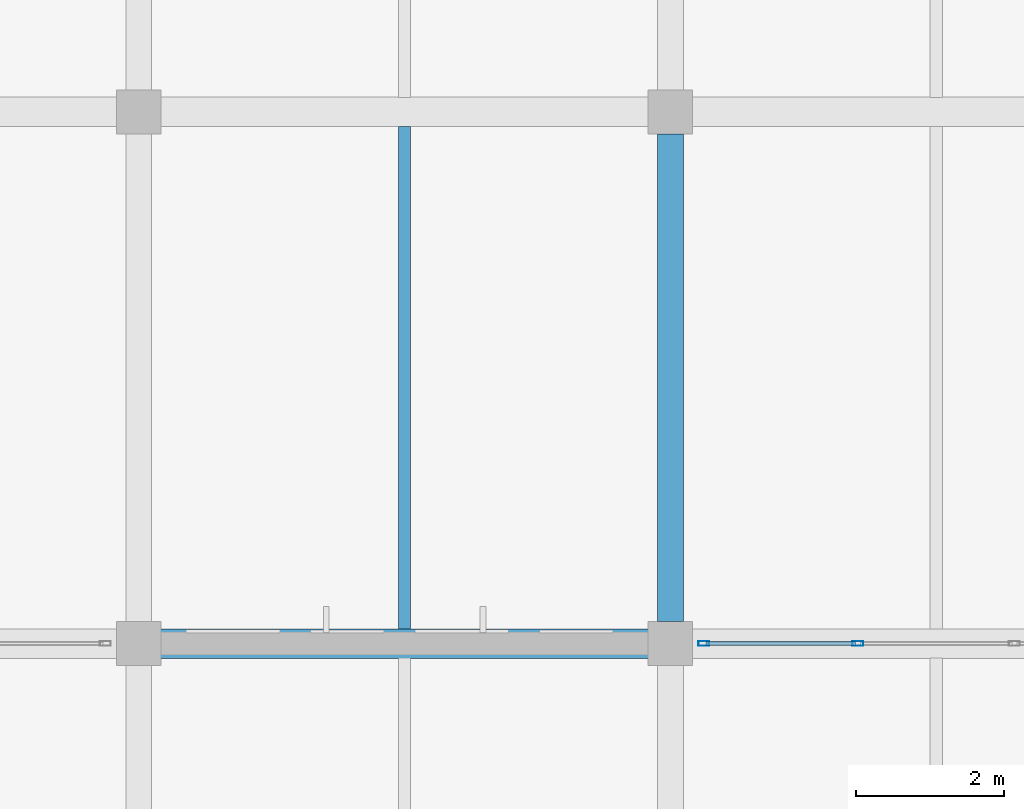
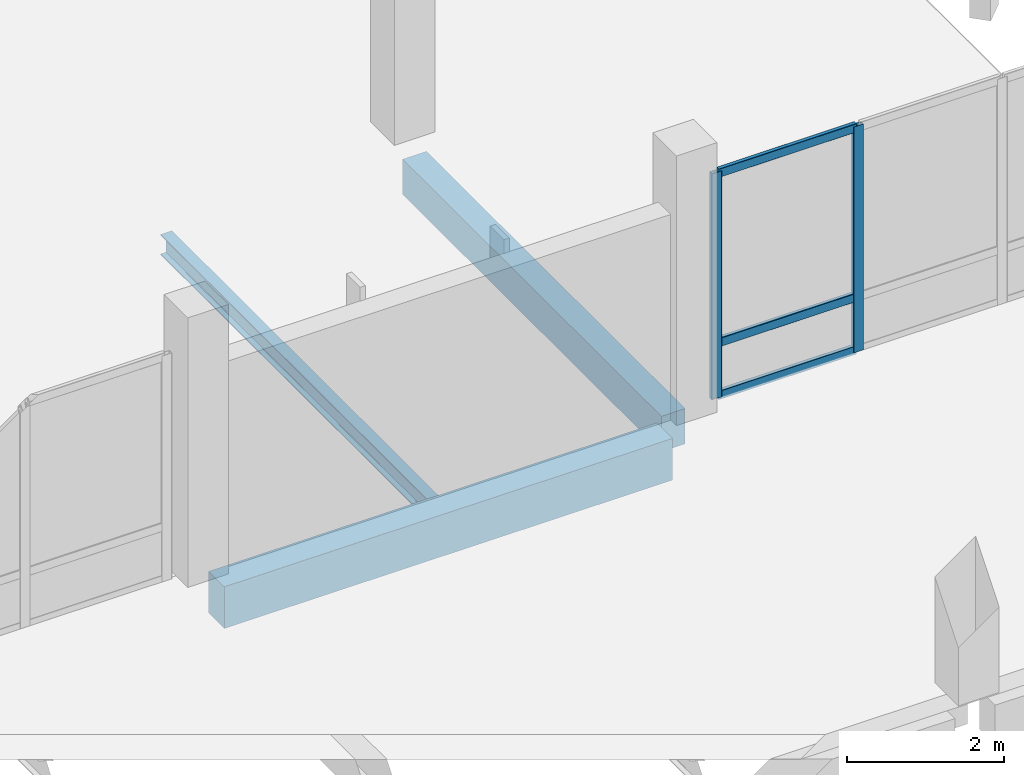
# One storey, part 105 of 158: 5 members, 3 beams, 1 element without a shape of its own.
"""IFC4 building model written with IfcOpenShell, lengths in metres."""

from ifc_helpers import new_model, si_unit, direction, frame, origin, origin_2d, place, context, subcontext, project, spatial, rectangle, hollow_rectangle, i_section, extrude, material, material_profile, profile_set, type_object, element, aggregate, save


model = new_model("IFC4")

# Units and contexts
model_context = context("Model", 3, precision=1e-05, world=origin(), true_north=direction((0.0, 1.0)))
body_context = subcontext(model_context, "Body", "Model", "MODEL_VIEW")
ifc_project = project(units=[si_unit("LENGTHUNIT", "METRE"), si_unit("AREAUNIT", "SQUARE_METRE"), si_unit("VOLUMEUNIT", "CUBIC_METRE"), si_unit("PLANEANGLEUNIT", "RADIAN"), si_unit("MASSUNIT", "GRAM", prefix="KILO")], contexts=[model_context])

# Site, building, storey
site_placement = place(None, origin())
site = spatial("IfcSite", under=ifc_project, at=site_placement, CompositionType="ELEMENT")
building_placement = place(site_placement, origin())
building = spatial("IfcBuilding", under=site, at=building_placement, Name="Lusvemor Sports Hall", CompositionType="ELEMENT")
storey_placement = place(building_placement, frame((0.0, 0.0, 10.800048828125)))
storey = spatial("IfcBuildingStorey", under=building, at=storey_placement, Name="L02", CompositionType="ELEMENT", Elevation=10.800048828125)

# Beams
ifc_material_1 = material(Name="Concrete C40/50", Category="concrete")
ifc_material_profile_1 = material_profile(ifc_material_1, rectangle(XDim=0.35009765625, YDim=0.550048828125, at=origin_2d()), Name="RC350x550")
ifc_profile_set_1 = profile_set([ifc_material_profile_1], Name="Concrete C40/50")
beam_type_1 = type_object("IfcBeamType", Name="BEAM_RC_550", PredefinedType="BEAM", material=ifc_profile_set_1)
beam_1_placement = place(storey_placement, frame((162.0, 83.095947265625, -0.53515625), z_axis=(0.0, 1.0, 0.0), x_axis=(-1.0, 0.0, 0.0)))
element("IfcBeam", 1, at=beam_1_placement, inside=storey, type_object=beam_type_1, Name="Beam L02 19:L-M", PredefinedType="BEAM", context=body_context, shape_type="SweptSolid", body=[
    extrude(rectangle(XDim=0.35009765625, YDim=0.550048828125, at=origin_2d()), origin(), (0.0, 0.0, 1.0), 6.608154296875),
])
ifc_material_2 = material(Name="Concrete C40/50", Category="concrete")
ifc_material_profile_2 = material_profile(ifc_material_2, rectangle(XDim=0.39990234375, YDim=0.64990234375, at=origin_2d()), Name="RC400x650")
ifc_profile_set_2 = profile_set([ifc_material_profile_2], Name="Concrete C40/50")
beam_type_2 = type_object("IfcBeamType", Name="BEAM_RC_650", PredefinedType="BEAM", material=ifc_profile_set_2)
beam_2_placement = place(storey_placement, frame((155.095947265625, 82.800048828125, -0.5849609375), z_axis=(1.0, 0.0, 0.0), x_axis=(0.0, 1.0, 0.0)))
element("IfcBeam", 2, at=beam_2_placement, inside=storey, type_object=beam_type_2, Name="Beam L02 L:18-19", PredefinedType="BEAM", context=body_context, shape_type="SweptSolid", body=[
    extrude(rectangle(XDim=0.39990234375, YDim=0.64990234375, at=origin_2d()), origin(), (0.0, 0.0, 1.0), 6.608154296875),
])

# Curtain wall, members
ifc_material_3 = material(Name="Thermally broken bronze-anodized aluminium", Category="aluminium")
curtain_wall_type = type_object("IfcCurtainWallType", Name="CW_WING_B", PredefinedType="NOTDEFINED", material=ifc_material_3)
curtain_wall_placement = place(storey_placement, origin())
curtain_wall = element("IfcCurtainWall", 3, at=curtain_wall_placement, inside=storey, type_object=curtain_wall_type, Name="Curtain Wall CW-L02-N-4-4", PredefinedType="NOTDEFINED")
ifc_material_4 = material(Name="Thermally broken bronze-anodized aluminium", Category="aluminium")
ifc_material_profile_3 = material_profile(ifc_material_4, hollow_rectangle(XDim=0.06494140625, YDim=0.14990234375, WallThickness=0.00390625, InnerFilletRadius=0.00390625, OuterFilletRadius=0.008056640625, at=origin_2d()), Name="CWMUL150x65x4")
ifc_profile_set_3 = profile_set([ifc_material_profile_3], Name="Thermally broken bronze-anodized aluminium")
member_type_1 = type_object("IfcMemberType", Name="CW_MUL_B", PredefinedType="MULLION", material=ifc_profile_set_3)
member_1_placement = place(storey_placement, frame((162.452392578125, 82.800048828125, 0.0), z_axis=(0.0, 0.0, 1.0), x_axis=(0.0, 1.0, 0.0)))
member_1 = element("IfcMember", 4, at=member_1_placement, type_object=member_type_1, Name="CW02 mullion 1", PredefinedType="MULLION", context=body_context, shape_type="SweptSolid", body=[
    extrude(hollow_rectangle(XDim=0.06494140625, YDim=0.14990234375, WallThickness=0.00390625, InnerFilletRadius=0.00390625, OuterFilletRadius=0.008056640625, at=origin_2d()), origin(), (0.0, 0.0, 1.0), 3.52001953125),
])
member_2_placement = place(storey_placement, frame((164.5400390625, 82.800048828125, 0.0), z_axis=(0.0, 0.0, 1.0), x_axis=(0.0, 1.0, 0.0)))
member_2 = element("IfcMember", 5, at=member_2_placement, type_object=member_type_1, Name="CW02 mullion 2", PredefinedType="MULLION", context=body_context, shape_type="SweptSolid", body=[
    extrude(hollow_rectangle(XDim=0.06494140625, YDim=0.14990234375, WallThickness=0.00390625, InnerFilletRadius=0.00390625, OuterFilletRadius=0.008056640625, at=origin_2d()), origin(), (0.0, 0.0, 1.0), 3.52001953125),
])
ifc_material_5 = material(Name="Thermally broken bronze-anodized aluminium", Category="aluminium")
ifc_material_profile_4 = material_profile(ifc_material_5, hollow_rectangle(XDim=0.06005859375, YDim=0.135009765625, WallThickness=0.00390625, InnerFilletRadius=0.00390625, OuterFilletRadius=0.008056640625, at=origin_2d()), Name="CWTRN135x60x4")
ifc_profile_set_4 = profile_set([ifc_material_profile_4], Name="Thermally broken bronze-anodized aluminium")
member_type_2 = type_object("IfcMemberType", Name="CW_TRN_B", PredefinedType="USERDEFINED", material=ifc_profile_set_4)
member_3_placement = place(storey_placement, frame((162.485107421875, 82.800048828125, 0.030029296875), z_axis=(1.0, 0.0, 0.0), x_axis=(0.0, 1.0, 0.0)))
member_3 = element("IfcMember", 6, at=member_3_placement, type_object=member_type_2, Name="CW02 transom 1.1", ObjectType="TRANSOM", PredefinedType="USERDEFINED", context=body_context, shape_type="SweptSolid", body=[
    extrude(hollow_rectangle(XDim=0.06005859375, YDim=0.135009765625, WallThickness=0.00390625, InnerFilletRadius=0.00390625, OuterFilletRadius=0.008056640625, at=origin_2d()), origin(), (0.0, 0.0, 1.0), 2.0224609375),
])
member_4_placement = place(storey_placement, frame((162.485107421875, 82.800048828125, 0.849853515625), z_axis=(1.0, 0.0, 0.0), x_axis=(0.0, 1.0, 0.0)))
member_4 = element("IfcMember", 7, at=member_4_placement, type_object=member_type_2, Name="CW02 transom 1.2", ObjectType="TRANSOM", PredefinedType="USERDEFINED", context=body_context, shape_type="SweptSolid", body=[
    extrude(hollow_rectangle(XDim=0.06005859375, YDim=0.135009765625, WallThickness=0.00390625, InnerFilletRadius=0.00390625, OuterFilletRadius=0.008056640625, at=origin_2d()), origin(), (0.0, 0.0, 1.0), 2.0224609375),
])
member_5_placement = place(storey_placement, frame((162.485107421875, 82.800048828125, 3.489990234375), z_axis=(1.0, 0.0, 0.0), x_axis=(0.0, 1.0, 0.0)))
member_5 = element("IfcMember", 8, at=member_5_placement, type_object=member_type_2, Name="CW02 transom 1.3", ObjectType="TRANSOM", PredefinedType="USERDEFINED", context=body_context, shape_type="SweptSolid", body=[
    extrude(hollow_rectangle(XDim=0.06005859375, YDim=0.135009765625, WallThickness=0.00390625, InnerFilletRadius=0.00390625, OuterFilletRadius=0.008056640625, at=origin_2d()), origin(), (0.0, 0.0, 1.0), 2.0224609375),
])
aggregate(curtain_wall, [member_1, member_2, member_3, member_4, member_5])

# Beam
ifc_material_6 = material(Name="Steel S355", Category="steel")
ifc_material_profile_5 = material_profile(ifc_material_6, i_section(OverallWidth=0.1669921875, OverallDepth=0.31689453125, WebThickness=0.007568359375, FlangeThickness=0.01318359375, FilletRadius=0.014892578125, at=origin_2d()), Name="W310x52.0")
ifc_profile_set_5 = profile_set([ifc_material_profile_5], Name="Steel S355")
beam_type_3 = type_object("IfcBeamType", Name="JOIST_ST_310M", PredefinedType="JOIST", material=ifc_profile_set_5)
beam_3_placement = place(storey_placement, frame((158.39990234375, 82.99609375, -0.422607421875), z_axis=(0.0, 1.0, 0.0), x_axis=(-1.0, 0.0, 0.0)))
element("IfcBeam", 9, at=beam_3_placement, inside=storey, type_object=beam_type_3, Name="Secondary Joist L02 18-19/L-M #1", PredefinedType="JOIST", context=body_context, shape_type="SweptSolid", body=[
    extrude(i_section(OverallWidth=0.1669921875, OverallDepth=0.31689453125, WebThickness=0.007568359375, FlangeThickness=0.01318359375, FilletRadius=0.014892578125, at=origin_2d()), origin(), (0.0, 0.0, 1.0), 6.807861328125),
])

save(model, "model.ifc")
